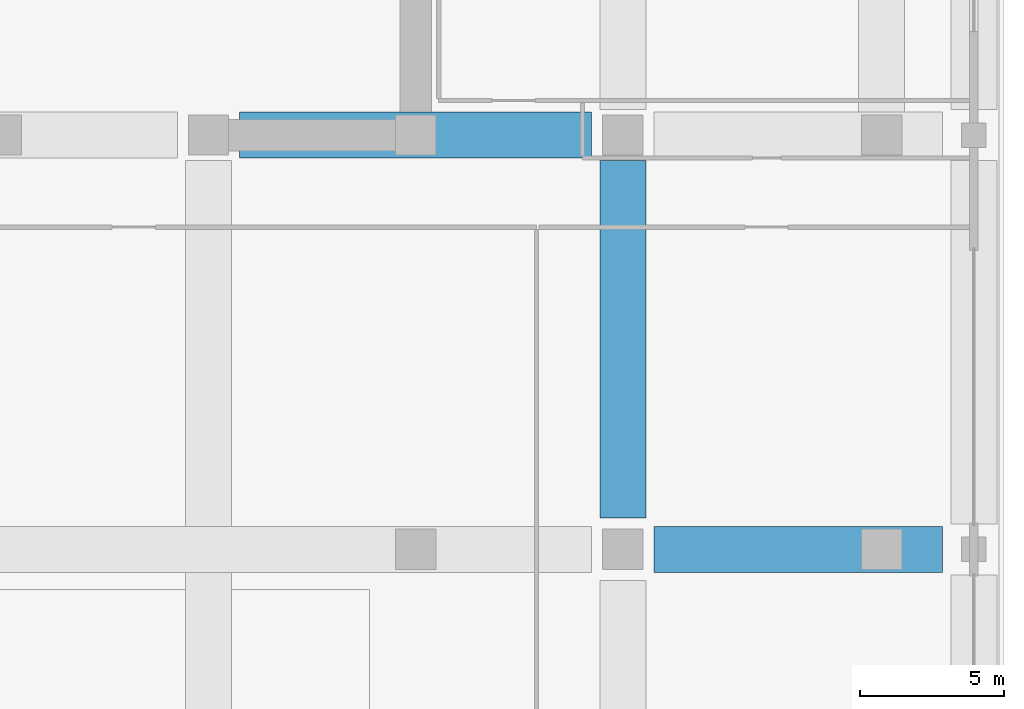
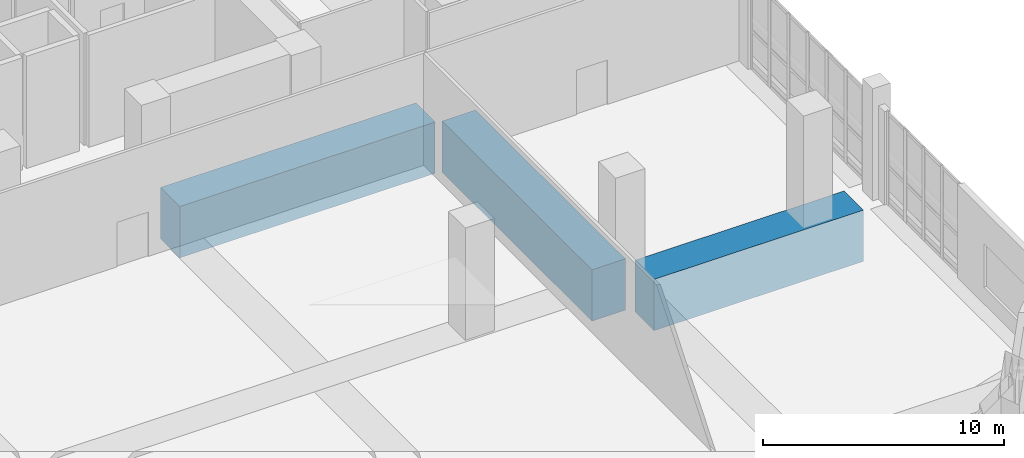
# One storey, part 13 of 25: 3 beams.
"""IFC4 building model written with IfcOpenShell, lengths in metres."""

from ifc_helpers import new_model, si_unit, direction, frame, origin, origin_2d, place, context, subcontext, project, spatial, rectangle, extrude, material, material_profile, profile_set, type_object, element, save


model = new_model("IFC4")

# Units and contexts
model_context = context("Model", 3, precision=1e-05, world=origin(), true_north=direction((0.0, 1.0)))
body_context = subcontext(model_context, "Body", "Model", "MODEL_VIEW")
ifc_project = project(units=[si_unit("LENGTHUNIT", "METRE"), si_unit("AREAUNIT", "SQUARE_METRE"), si_unit("VOLUMEUNIT", "CUBIC_METRE"), si_unit("PLANEANGLEUNIT", "RADIAN"), si_unit("MASSUNIT", "GRAM", prefix="KILO")], contexts=[model_context])

# Site, building, storey
site_placement = place(None, origin())
site = spatial("IfcSite", under=ifc_project, at=site_placement, CompositionType="ELEMENT")
building_placement = place(site_placement, origin())
building = spatial("IfcBuilding", under=site, at=building_placement, Name="Kaelvorn Grand Hotel", CompositionType="ELEMENT")
storey_placement = place(building_placement, frame((0.0, 0.0, 8.0)))
storey = spatial("IfcBuildingStorey", under=building, at=storey_placement, Name="L01", CompositionType="ELEMENT", Elevation=8.0)

# Beams
ifc_material = material(Name="Concrete C80/95", Category="concrete")
ifc_material_profile = material_profile(ifc_material, rectangle(XDim=1.60009765625, YDim=2.60009765625, at=origin_2d()), Name="RC TG 1600x2600")
ifc_profile_set = profile_set([ifc_material_profile], Name="Concrete C80/95")
beam_type = type_object("IfcBeamType", Name="BM-TG-1600x2600-C80", PredefinedType="USERDEFINED", material=ifc_profile_set)
beam_1_placement = place(storey_placement, frame((76.0849609375, 15.0, -1.300048828125), z_axis=(1.0, 0.0, 0.0), x_axis=(0.0, 1.0, 0.0)))
element("IfcBeam", 1, at=beam_1_placement, inside=storey, type_object=beam_type, Name="L01 Pilotis Transfer Girder TGX-M15 05", ObjectType="TRANSFER GIRDER", PredefinedType="USERDEFINED", context=body_context, shape_type="SweptSolid", body=[
    extrude(rectangle(XDim=1.60009765625, YDim=2.60009765625, at=origin_2d()), origin(), (0.0, 0.0, 1.0), 10.030029296875),
])
beam_2_placement = place(storey_placement, frame((61.68505859375, 29.39990234375, -1.300048828125), z_axis=(1.0, 0.0, 0.0), x_axis=(0.0, 1.0, 0.0)))
element("IfcBeam", 2, at=beam_2_placement, inside=storey, type_object=beam_type, Name="L01 Pilotis Transfer Girder TGX-C29 06", ObjectType="TRANSFER GIRDER", PredefinedType="USERDEFINED", context=body_context, shape_type="SweptSolid", body=[
    extrude(rectangle(XDim=1.60009765625, YDim=2.60009765625, at=origin_2d()), origin(), (0.0, 0.0, 1.0), 12.22998046875),
])
beam_3_placement = place(storey_placement, frame((75.0, 16.0849609375, -1.300048828125), z_axis=(0.0, 1.0, 0.0), x_axis=(-1.0, 0.0, 0.0)))
element("IfcBeam", 3, at=beam_3_placement, inside=storey, type_object=beam_type, Name="L01 Pilotis Transfer Girder TGY-X75 02", ObjectType="TRANSFER GIRDER", PredefinedType="USERDEFINED", context=body_context, shape_type="SweptSolid", body=[
    extrude(rectangle(XDim=1.60009765625, YDim=2.60009765625, at=origin_2d()), origin(), (0.0, 0.0, 1.0), 12.429931640625),
])

save(model, "model.ifc")
